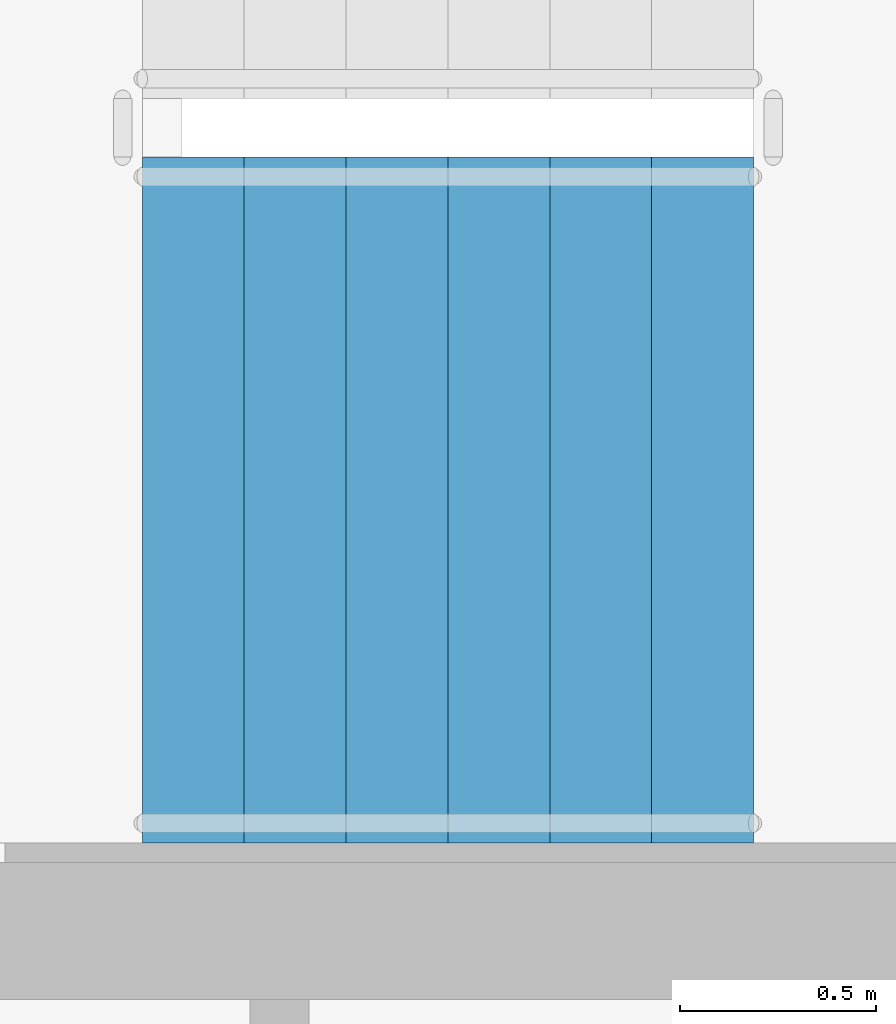
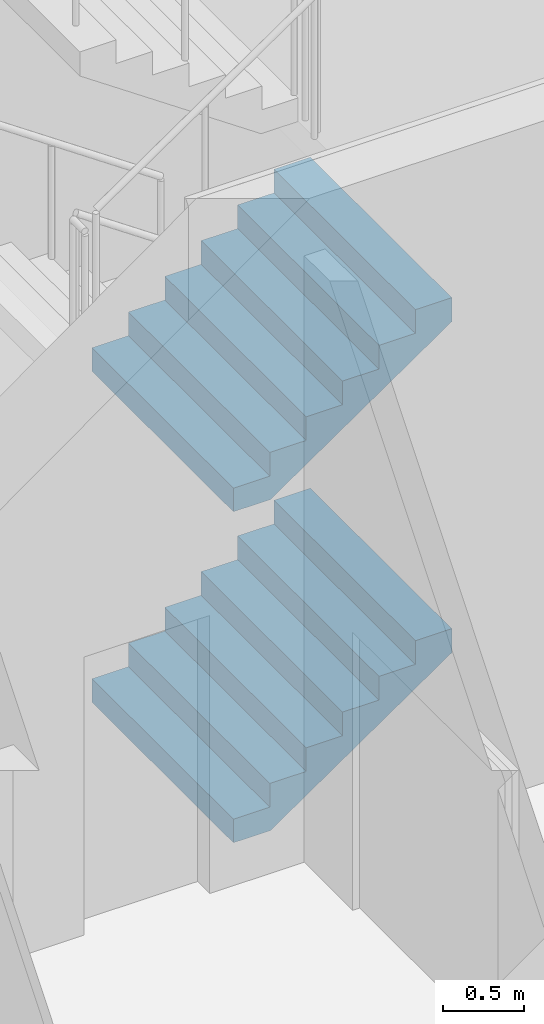
# One storey, part 20 of 34: 2 stair flights, 1 element without a shape of its own.
"""IFC4 building model written with IfcOpenShell, lengths in metres."""

from ifc_helpers import new_model, si_unit, direction, frame, origin, place, context, subcontext, project, spatial, faceted_brep, material, type_object, element, aggregate, save


model = new_model("IFC4")

# Units and contexts
model_context = context("Model", 3, precision=1e-05, world=origin(), true_north=direction((0.0, 1.0)))
body_context = subcontext(model_context, "Body", "Model", "MODEL_VIEW")
ifc_project = project(units=[si_unit("LENGTHUNIT", "METRE"), si_unit("AREAUNIT", "SQUARE_METRE"), si_unit("VOLUMEUNIT", "CUBIC_METRE"), si_unit("PLANEANGLEUNIT", "RADIAN"), si_unit("MASSUNIT", "GRAM", prefix="KILO")], contexts=[model_context])

# Site, building, storey
site_placement = place(None, origin())
site = spatial("IfcSite", under=ifc_project, at=site_placement, CompositionType="ELEMENT")
building_placement = place(site_placement, origin())
building = spatial("IfcBuilding", under=site, at=building_placement, Name="Ipe Terrace Towers", CompositionType="ELEMENT")
storey_placement = place(building_placement, frame((0.0, 0.0, 128.699951171875)))
storey = spatial("IfcBuildingStorey", under=building, at=storey_placement, Name="L35", CompositionType="ELEMENT", Elevation=128.699951171875)

# Stair, stair flights
ifc_material_1 = material(Name="Concrete C30/37", Category="concrete")
stair_type = type_object("IfcStairType", Name="Protected exit stair", PredefinedType="HALF_TURN_STAIR", material=ifc_material_1)
stair_placement = place(storey_placement, origin())
stair = element("IfcStair", 1, at=stair_placement, inside=storey, type_object=stair_type, Name="L35 Exit stair T1-C1", PredefinedType="HALF_TURN_STAIR")
ifc_material_2 = material(Name="Concrete C30/37", Category="concrete")
stair_flight_type = type_object("IfcStairFlightType", Name="Exit stair flight 1750", PredefinedType="STRAIGHT", material=ifc_material_2)
stair_flight_1_placement = place(storey_placement, frame((-26.300048828125, 2.77490234375, 0.0), z_axis=(0.0, 0.0, 1.0), x_axis=(1.0, 0.0, 0.0)))
stair_flight_1 = element("IfcStairFlight", 2, at=stair_flight_1_placement, type_object=stair_flight_type, Name="T1-ST1 flight 1", NumberOfRisers=7, NumberOfTreads=6, PredefinedType="STRAIGHT", RiserHeight=0.178571429, TreadLength=0.26, context=body_context, shape_type="Brep", body=[
    faceted_brep([(0.264892578125, -0.875, 0.0), (1.56005859375, -0.875, 0.8896484375), (1.56005859375, -0.875, 1.071533203125), (1.300048828125, -0.875, 1.071533203125), (1.300048828125, -0.875, 0.892822265625), (1.0400390625, -0.875, 0.892822265625), (1.0400390625, -0.875, 0.71435546875), (0.780029296875, -0.875, 0.71435546875), (0.780029296875, -0.875, 0.53564453125), (0.52001953125, -0.875, 0.53564453125), (0.52001953125, -0.875, 0.357177734375), (0.260009765625, -0.875, 0.357177734375), (0.260009765625, -0.875, 0.178466796875), (0.0, -0.875, 0.178466796875), (0.0, -0.875, 0.0), (0.0, 0.875, 0.0), (0.0, 0.875, 0.178466796875), (0.260009765625, 0.875, 0.178466796875), (0.260009765625, 0.875, 0.357177734375), (0.52001953125, 0.875, 0.357177734375), (0.52001953125, 0.875, 0.53564453125), (0.780029296875, 0.875, 0.53564453125), (0.780029296875, 0.875, 0.71435546875), (1.0400390625, 0.875, 0.71435546875), (1.0400390625, 0.875, 0.892822265625), (1.300048828125, 0.875, 0.892822265625), (1.300048828125, 0.875, 1.071533203125), (1.56005859375, 0.875, 1.071533203125), (1.56005859375, 0.875, 0.8896484375), (0.264892578125, 0.875, 0.0), (0.0, -0.300048828125, 0.178466796875), (0.0, -0.1201171875, 0.178466796875), (0.0, -0.06005859375, 0.178466796875), (0.0, -0.030029296875, 0.178466796875), (0.0, -0.010009765625, 0.178466796875), (0.0, 0.0, 0.178466796875), (0.0, 0.010009765625, 0.178466796875), (0.0, 0.030029296875, 0.178466796875), (0.0, 0.06005859375, 0.178466796875), (0.0, 0.1201171875, 0.178466796875), (0.0, 0.300048828125, 0.178466796875), (0.0, 0.300048828125, 0.0), (0.0, 0.1201171875, 0.0), (0.0, 0.06005859375, 0.0), (0.0, 0.030029296875, 0.0), (0.0, 0.010009765625, 0.0), (0.0, 0.0, 0.0), (0.0, -0.010009765625, 0.0), (0.0, -0.030029296875, 0.0), (0.0, -0.06005859375, 0.0), (0.0, -0.1201171875, 0.0), (0.0, -0.300048828125, 0.0), (0.260009765625, -0.300048828125, 0.178466796875), (0.260009765625, -0.1201171875, 0.178466796875), (0.260009765625, -0.06005859375, 0.178466796875), (0.260009765625, -0.030029296875, 0.178466796875), (0.260009765625, -0.010009765625, 0.178466796875), (0.260009765625, 0.0, 0.178466796875), (0.260009765625, 0.010009765625, 0.178466796875), (0.260009765625, 0.030029296875, 0.178466796875), (0.260009765625, 0.06005859375, 0.178466796875), (0.260009765625, 0.1201171875, 0.178466796875), (0.260009765625, 0.300048828125, 0.178466796875), (0.260009765625, -0.300048828125, 0.357177734375), (0.260009765625, -0.1201171875, 0.357177734375), (0.260009765625, -0.06005859375, 0.357177734375), (0.260009765625, -0.030029296875, 0.357177734375), (0.260009765625, -0.010009765625, 0.357177734375), (0.260009765625, 0.0, 0.357177734375), (0.260009765625, 0.010009765625, 0.357177734375), (0.260009765625, 0.030029296875, 0.357177734375), (0.260009765625, 0.06005859375, 0.357177734375), (0.260009765625, 0.1201171875, 0.357177734375), (0.260009765625, 0.300048828125, 0.357177734375), (0.52001953125, -0.300048828125, 0.357177734375), (0.52001953125, -0.1201171875, 0.357177734375), (0.52001953125, -0.06005859375, 0.357177734375), (0.52001953125, -0.030029296875, 0.357177734375), (0.52001953125, -0.010009765625, 0.357177734375), (0.52001953125, 0.0, 0.357177734375), (0.52001953125, 0.010009765625, 0.357177734375), (0.52001953125, 0.030029296875, 0.357177734375), (0.52001953125, 0.06005859375, 0.357177734375), (0.52001953125, 0.1201171875, 0.357177734375), (0.52001953125, 0.300048828125, 0.357177734375), (0.52001953125, -0.300048828125, 0.53564453125), (0.52001953125, -0.1201171875, 0.53564453125), (0.52001953125, -0.06005859375, 0.53564453125), (0.52001953125, -0.030029296875, 0.53564453125), (0.52001953125, -0.010009765625, 0.53564453125), (0.52001953125, 0.0, 0.53564453125), (0.52001953125, 0.010009765625, 0.53564453125), (0.52001953125, 0.030029296875, 0.53564453125), (0.52001953125, 0.06005859375, 0.53564453125), (0.52001953125, 0.1201171875, 0.53564453125), (0.52001953125, 0.300048828125, 0.53564453125), (0.780029296875, -0.300048828125, 0.53564453125), (0.780029296875, -0.1201171875, 0.53564453125), (0.780029296875, -0.06005859375, 0.53564453125), (0.780029296875, -0.030029296875, 0.53564453125), (0.780029296875, -0.010009765625, 0.53564453125), (0.780029296875, 0.0, 0.53564453125), (0.780029296875, 0.010009765625, 0.53564453125), (0.780029296875, 0.030029296875, 0.53564453125), (0.780029296875, 0.06005859375, 0.53564453125), (0.780029296875, 0.1201171875, 0.53564453125), (0.780029296875, 0.300048828125, 0.53564453125), (0.780029296875, -0.300048828125, 0.71435546875), (0.780029296875, -0.1201171875, 0.71435546875), (0.780029296875, -0.06005859375, 0.71435546875), (0.780029296875, -0.030029296875, 0.71435546875), (0.780029296875, -0.010009765625, 0.71435546875), (0.780029296875, 0.0, 0.71435546875), (0.780029296875, 0.010009765625, 0.71435546875), (0.780029296875, 0.030029296875, 0.71435546875), (0.780029296875, 0.06005859375, 0.71435546875), (0.780029296875, 0.1201171875, 0.71435546875), (0.780029296875, 0.300048828125, 0.71435546875), (1.0400390625, -0.300048828125, 0.71435546875), (1.0400390625, -0.1201171875, 0.71435546875), (1.0400390625, -0.06005859375, 0.71435546875), (1.0400390625, -0.030029296875, 0.71435546875), (1.0400390625, -0.010009765625, 0.71435546875), (1.0400390625, 0.0, 0.71435546875), (1.0400390625, 0.010009765625, 0.71435546875), (1.0400390625, 0.030029296875, 0.71435546875), (1.0400390625, 0.06005859375, 0.71435546875), (1.0400390625, 0.1201171875, 0.71435546875), (1.0400390625, 0.300048828125, 0.71435546875), (1.0400390625, -0.300048828125, 0.892822265625), (1.0400390625, -0.1201171875, 0.892822265625), (1.0400390625, -0.06005859375, 0.892822265625), (1.0400390625, -0.030029296875, 0.892822265625), (1.0400390625, -0.010009765625, 0.892822265625), (1.0400390625, 0.0, 0.892822265625), (1.0400390625, 0.010009765625, 0.892822265625), (1.0400390625, 0.030029296875, 0.892822265625), (1.0400390625, 0.06005859375, 0.892822265625), (1.0400390625, 0.1201171875, 0.892822265625), (1.0400390625, 0.300048828125, 0.892822265625), (1.300048828125, -0.300048828125, 0.892822265625), (1.300048828125, -0.1201171875, 0.892822265625), (1.300048828125, -0.06005859375, 0.892822265625), (1.300048828125, -0.030029296875, 0.892822265625), (1.300048828125, -0.010009765625, 0.892822265625), (1.300048828125, 0.0, 0.892822265625), (1.300048828125, 0.010009765625, 0.892822265625), (1.300048828125, 0.030029296875, 0.892822265625), (1.300048828125, 0.06005859375, 0.892822265625), (1.300048828125, 0.1201171875, 0.892822265625), (1.300048828125, 0.300048828125, 0.892822265625), (1.300048828125, -0.300048828125, 1.071533203125), (1.300048828125, -0.1201171875, 1.071533203125), (1.300048828125, -0.06005859375, 1.071533203125), (1.300048828125, -0.030029296875, 1.071533203125), (1.300048828125, -0.010009765625, 1.071533203125), (1.300048828125, 0.0, 1.071533203125), (1.300048828125, 0.010009765625, 1.071533203125), (1.300048828125, 0.030029296875, 1.071533203125), (1.300048828125, 0.06005859375, 1.071533203125), (1.300048828125, 0.1201171875, 1.071533203125), (1.300048828125, 0.300048828125, 1.071533203125), (1.56005859375, -0.300048828125, 1.071533203125), (1.56005859375, -0.1201171875, 1.071533203125), (1.56005859375, -0.06005859375, 1.071533203125), (1.56005859375, -0.030029296875, 1.071533203125), (1.56005859375, -0.010009765625, 1.071533203125), (1.56005859375, 0.0, 1.071533203125), (1.56005859375, 0.010009765625, 1.071533203125), (1.56005859375, 0.030029296875, 1.071533203125), (1.56005859375, 0.06005859375, 1.071533203125), (1.56005859375, 0.1201171875, 1.071533203125), (1.56005859375, 0.300048828125, 1.071533203125), (1.56005859375, -0.300048828125, 0.8896484375), (1.56005859375, -0.1201171875, 0.8896484375), (1.56005859375, -0.06005859375, 0.8896484375), (1.56005859375, -0.030029296875, 0.8896484375), (1.56005859375, -0.010009765625, 0.8896484375), (1.56005859375, 0.0, 0.8896484375), (1.56005859375, 0.010009765625, 0.8896484375), (1.56005859375, 0.030029296875, 0.8896484375), (1.56005859375, 0.06005859375, 0.8896484375), (1.56005859375, 0.1201171875, 0.8896484375), (1.56005859375, 0.300048828125, 0.8896484375), (0.264892578125, -0.300048828125, 0.0), (0.264892578125, -0.1201171875, 0.0), (0.264892578125, -0.06005859375, 0.0), (0.264892578125, -0.030029296875, 0.0), (0.264892578125, -0.010009765625, 0.0), (0.264892578125, 0.0, 0.0), (0.264892578125, 0.010009765625, 0.0), (0.264892578125, 0.030029296875, 0.0), (0.264892578125, 0.06005859375, 0.0), (0.264892578125, 0.1201171875, 0.0), (0.264892578125, 0.300048828125, 0.0)], [[[0, 1, 2, 3, 4, 5, 6, 7, 8, 9, 10, 11, 12, 13, 14]], [[15, 16, 17, 18, 19, 20, 21, 22, 23, 24, 25, 26, 27, 28, 29]], [[13, 30, 31, 32, 33, 34, 35, 36, 37, 38, 39, 40, 16, 15, 41, 42, 43, 44, 45, 46, 47, 48, 49, 50, 51, 14]], [[12, 52, 53, 54, 55, 56, 57, 58, 59, 60, 61, 62, 17, 16, 40, 39, 38, 37, 36, 35, 34, 33, 32, 31, 30, 13]], [[11, 63, 64, 65, 66, 67, 68, 69, 70, 71, 72, 73, 18, 17, 62, 61, 60, 59, 58, 57, 56, 55, 54, 53, 52, 12]], [[10, 74, 75, 76, 77, 78, 79, 80, 81, 82, 83, 84, 19, 18, 73, 72, 71, 70, 69, 68, 67, 66, 65, 64, 63, 11]], [[9, 85, 86, 87, 88, 89, 90, 91, 92, 93, 94, 95, 20, 19, 84, 83, 82, 81, 80, 79, 78, 77, 76, 75, 74, 10]], [[8, 96, 97, 98, 99, 100, 101, 102, 103, 104, 105, 106, 21, 20, 95, 94, 93, 92, 91, 90, 89, 88, 87, 86, 85, 9]], [[7, 107, 108, 109, 110, 111, 112, 113, 114, 115, 116, 117, 22, 21, 106, 105, 104, 103, 102, 101, 100, 99, 98, 97, 96, 8]], [[6, 118, 119, 120, 121, 122, 123, 124, 125, 126, 127, 128, 23, 22, 117, 116, 115, 114, 113, 112, 111, 110, 109, 108, 107, 7]], [[5, 129, 130, 131, 132, 133, 134, 135, 136, 137, 138, 139, 24, 23, 128, 127, 126, 125, 124, 123, 122, 121, 120, 119, 118, 6]], [[4, 140, 141, 142, 143, 144, 145, 146, 147, 148, 149, 150, 25, 24, 139, 138, 137, 136, 135, 134, 133, 132, 131, 130, 129, 5]], [[3, 151, 152, 153, 154, 155, 156, 157, 158, 159, 160, 161, 26, 25, 150, 149, 148, 147, 146, 145, 144, 143, 142, 141, 140, 4]], [[2, 162, 163, 164, 165, 166, 167, 168, 169, 170, 171, 172, 27, 26, 161, 160, 159, 158, 157, 156, 155, 154, 153, 152, 151, 3]], [[1, 173, 174, 175, 176, 177, 178, 179, 180, 181, 182, 183, 28, 27, 172, 171, 170, 169, 168, 167, 166, 165, 164, 163, 162, 2]], [[0, 184, 185, 186, 187, 188, 189, 190, 191, 192, 193, 194, 29, 28, 183, 182, 181, 180, 179, 178, 177, 176, 175, 174, 173, 1]], [[14, 51, 50, 49, 48, 47, 46, 45, 44, 43, 42, 41, 15, 29, 194, 193, 192, 191, 190, 189, 188, 187, 186, 185, 184, 0]]]),
])
stair_flight_2_placement = place(storey_placement, frame((-26.300048828125, 2.77490234375, 2.5), z_axis=(0.0, 0.0, 1.0), x_axis=(1.0, 0.0, 0.0)))
stair_flight_2 = element("IfcStairFlight", 3, at=stair_flight_2_placement, type_object=stair_flight_type, Name="T1-ST1 flight 3", NumberOfRisers=7, NumberOfTreads=6, PredefinedType="STRAIGHT", RiserHeight=0.178571429, TreadLength=0.26, context=body_context, shape_type="Brep", body=[
    faceted_brep([(0.264892578125, -0.875, 0.0), (1.56005859375, -0.875, 0.8896484375), (1.56005859375, -0.875, 1.071533203125), (1.300048828125, -0.875, 1.071533203125), (1.300048828125, -0.875, 0.892822265625), (1.0400390625, -0.875, 0.892822265625), (1.0400390625, -0.875, 0.71435546875), (0.780029296875, -0.875, 0.71435546875), (0.780029296875, -0.875, 0.53564453125), (0.52001953125, -0.875, 0.53564453125), (0.52001953125, -0.875, 0.357177734375), (0.260009765625, -0.875, 0.357177734375), (0.260009765625, -0.875, 0.178466796875), (0.0, -0.875, 0.178466796875), (0.0, -0.875, 0.0), (0.0, 0.875, 0.0), (0.0, 0.875, 0.178466796875), (0.260009765625, 0.875, 0.178466796875), (0.260009765625, 0.875, 0.357177734375), (0.52001953125, 0.875, 0.357177734375), (0.52001953125, 0.875, 0.53564453125), (0.780029296875, 0.875, 0.53564453125), (0.780029296875, 0.875, 0.71435546875), (1.0400390625, 0.875, 0.71435546875), (1.0400390625, 0.875, 0.892822265625), (1.300048828125, 0.875, 0.892822265625), (1.300048828125, 0.875, 1.071533203125), (1.56005859375, 0.875, 1.071533203125), (1.56005859375, 0.875, 0.8896484375), (0.264892578125, 0.875, 0.0), (0.0, -0.300048828125, 0.178466796875), (0.0, -0.1201171875, 0.178466796875), (0.0, -0.06005859375, 0.178466796875), (0.0, -0.030029296875, 0.178466796875), (0.0, -0.010009765625, 0.178466796875), (0.0, 0.0, 0.178466796875), (0.0, 0.010009765625, 0.178466796875), (0.0, 0.030029296875, 0.178466796875), (0.0, 0.06005859375, 0.178466796875), (0.0, 0.1201171875, 0.178466796875), (0.0, 0.300048828125, 0.178466796875), (0.0, 0.300048828125, 0.0), (0.0, 0.1201171875, 0.0), (0.0, 0.06005859375, 0.0), (0.0, 0.030029296875, 0.0), (0.0, 0.010009765625, 0.0), (0.0, 0.0, 0.0), (0.0, -0.010009765625, 0.0), (0.0, -0.030029296875, 0.0), (0.0, -0.06005859375, 0.0), (0.0, -0.1201171875, 0.0), (0.0, -0.300048828125, 0.0), (0.260009765625, -0.300048828125, 0.178466796875), (0.260009765625, -0.1201171875, 0.178466796875), (0.260009765625, -0.06005859375, 0.178466796875), (0.260009765625, -0.030029296875, 0.178466796875), (0.260009765625, -0.010009765625, 0.178466796875), (0.260009765625, 0.0, 0.178466796875), (0.260009765625, 0.010009765625, 0.178466796875), (0.260009765625, 0.030029296875, 0.178466796875), (0.260009765625, 0.06005859375, 0.178466796875), (0.260009765625, 0.1201171875, 0.178466796875), (0.260009765625, 0.300048828125, 0.178466796875), (0.260009765625, -0.300048828125, 0.357177734375), (0.260009765625, -0.1201171875, 0.357177734375), (0.260009765625, -0.06005859375, 0.357177734375), (0.260009765625, -0.030029296875, 0.357177734375), (0.260009765625, -0.010009765625, 0.357177734375), (0.260009765625, 0.0, 0.357177734375), (0.260009765625, 0.010009765625, 0.357177734375), (0.260009765625, 0.030029296875, 0.357177734375), (0.260009765625, 0.06005859375, 0.357177734375), (0.260009765625, 0.1201171875, 0.357177734375), (0.260009765625, 0.300048828125, 0.357177734375), (0.52001953125, -0.300048828125, 0.357177734375), (0.52001953125, -0.1201171875, 0.357177734375), (0.52001953125, -0.06005859375, 0.357177734375), (0.52001953125, -0.030029296875, 0.357177734375), (0.52001953125, -0.010009765625, 0.357177734375), (0.52001953125, 0.0, 0.357177734375), (0.52001953125, 0.010009765625, 0.357177734375), (0.52001953125, 0.030029296875, 0.357177734375), (0.52001953125, 0.06005859375, 0.357177734375), (0.52001953125, 0.1201171875, 0.357177734375), (0.52001953125, 0.300048828125, 0.357177734375), (0.52001953125, -0.300048828125, 0.53564453125), (0.52001953125, -0.1201171875, 0.53564453125), (0.52001953125, -0.06005859375, 0.53564453125), (0.52001953125, -0.030029296875, 0.53564453125), (0.52001953125, -0.010009765625, 0.53564453125), (0.52001953125, 0.0, 0.53564453125), (0.52001953125, 0.010009765625, 0.53564453125), (0.52001953125, 0.030029296875, 0.53564453125), (0.52001953125, 0.06005859375, 0.53564453125), (0.52001953125, 0.1201171875, 0.53564453125), (0.52001953125, 0.300048828125, 0.53564453125), (0.780029296875, -0.300048828125, 0.53564453125), (0.780029296875, -0.1201171875, 0.53564453125), (0.780029296875, -0.06005859375, 0.53564453125), (0.780029296875, -0.030029296875, 0.53564453125), (0.780029296875, -0.010009765625, 0.53564453125), (0.780029296875, 0.0, 0.53564453125), (0.780029296875, 0.010009765625, 0.53564453125), (0.780029296875, 0.030029296875, 0.53564453125), (0.780029296875, 0.06005859375, 0.53564453125), (0.780029296875, 0.1201171875, 0.53564453125), (0.780029296875, 0.300048828125, 0.53564453125), (0.780029296875, -0.300048828125, 0.71435546875), (0.780029296875, -0.1201171875, 0.71435546875), (0.780029296875, -0.06005859375, 0.71435546875), (0.780029296875, -0.030029296875, 0.71435546875), (0.780029296875, -0.010009765625, 0.71435546875), (0.780029296875, 0.0, 0.71435546875), (0.780029296875, 0.010009765625, 0.71435546875), (0.780029296875, 0.030029296875, 0.71435546875), (0.780029296875, 0.06005859375, 0.71435546875), (0.780029296875, 0.1201171875, 0.71435546875), (0.780029296875, 0.300048828125, 0.71435546875), (1.0400390625, -0.300048828125, 0.71435546875), (1.0400390625, -0.1201171875, 0.71435546875), (1.0400390625, -0.06005859375, 0.71435546875), (1.0400390625, -0.030029296875, 0.71435546875), (1.0400390625, -0.010009765625, 0.71435546875), (1.0400390625, 0.0, 0.71435546875), (1.0400390625, 0.010009765625, 0.71435546875), (1.0400390625, 0.030029296875, 0.71435546875), (1.0400390625, 0.06005859375, 0.71435546875), (1.0400390625, 0.1201171875, 0.71435546875), (1.0400390625, 0.300048828125, 0.71435546875), (1.0400390625, -0.300048828125, 0.892822265625), (1.0400390625, -0.1201171875, 0.892822265625), (1.0400390625, -0.06005859375, 0.892822265625), (1.0400390625, -0.030029296875, 0.892822265625), (1.0400390625, -0.010009765625, 0.892822265625), (1.0400390625, 0.0, 0.892822265625), (1.0400390625, 0.010009765625, 0.892822265625), (1.0400390625, 0.030029296875, 0.892822265625), (1.0400390625, 0.06005859375, 0.892822265625), (1.0400390625, 0.1201171875, 0.892822265625), (1.0400390625, 0.300048828125, 0.892822265625), (1.300048828125, -0.300048828125, 0.892822265625), (1.300048828125, -0.1201171875, 0.892822265625), (1.300048828125, -0.06005859375, 0.892822265625), (1.300048828125, -0.030029296875, 0.892822265625), (1.300048828125, -0.010009765625, 0.892822265625), (1.300048828125, 0.0, 0.892822265625), (1.300048828125, 0.010009765625, 0.892822265625), (1.300048828125, 0.030029296875, 0.892822265625), (1.300048828125, 0.06005859375, 0.892822265625), (1.300048828125, 0.1201171875, 0.892822265625), (1.300048828125, 0.300048828125, 0.892822265625), (1.300048828125, -0.300048828125, 1.071533203125), (1.300048828125, -0.1201171875, 1.071533203125), (1.300048828125, -0.06005859375, 1.071533203125), (1.300048828125, -0.030029296875, 1.071533203125), (1.300048828125, -0.010009765625, 1.071533203125), (1.300048828125, 0.0, 1.071533203125), (1.300048828125, 0.010009765625, 1.071533203125), (1.300048828125, 0.030029296875, 1.071533203125), (1.300048828125, 0.06005859375, 1.071533203125), (1.300048828125, 0.1201171875, 1.071533203125), (1.300048828125, 0.300048828125, 1.071533203125), (1.56005859375, -0.300048828125, 1.071533203125), (1.56005859375, -0.1201171875, 1.071533203125), (1.56005859375, -0.06005859375, 1.071533203125), (1.56005859375, -0.030029296875, 1.071533203125), (1.56005859375, -0.010009765625, 1.071533203125), (1.56005859375, 0.0, 1.071533203125), (1.56005859375, 0.010009765625, 1.071533203125), (1.56005859375, 0.030029296875, 1.071533203125), (1.56005859375, 0.06005859375, 1.071533203125), (1.56005859375, 0.1201171875, 1.071533203125), (1.56005859375, 0.300048828125, 1.071533203125), (1.56005859375, -0.300048828125, 0.8896484375), (1.56005859375, -0.1201171875, 0.8896484375), (1.56005859375, -0.06005859375, 0.8896484375), (1.56005859375, -0.030029296875, 0.8896484375), (1.56005859375, -0.010009765625, 0.8896484375), (1.56005859375, 0.0, 0.8896484375), (1.56005859375, 0.010009765625, 0.8896484375), (1.56005859375, 0.030029296875, 0.8896484375), (1.56005859375, 0.06005859375, 0.8896484375), (1.56005859375, 0.1201171875, 0.8896484375), (1.56005859375, 0.300048828125, 0.8896484375), (0.264892578125, -0.300048828125, 0.0), (0.264892578125, -0.1201171875, 0.0), (0.264892578125, -0.06005859375, 0.0), (0.264892578125, -0.030029296875, 0.0), (0.264892578125, -0.010009765625, 0.0), (0.264892578125, 0.0, 0.0), (0.264892578125, 0.010009765625, 0.0), (0.264892578125, 0.030029296875, 0.0), (0.264892578125, 0.06005859375, 0.0), (0.264892578125, 0.1201171875, 0.0), (0.264892578125, 0.300048828125, 0.0)], [[[0, 1, 2, 3, 4, 5, 6, 7, 8, 9, 10, 11, 12, 13, 14]], [[15, 16, 17, 18, 19, 20, 21, 22, 23, 24, 25, 26, 27, 28, 29]], [[13, 30, 31, 32, 33, 34, 35, 36, 37, 38, 39, 40, 16, 15, 41, 42, 43, 44, 45, 46, 47, 48, 49, 50, 51, 14]], [[12, 52, 53, 54, 55, 56, 57, 58, 59, 60, 61, 62, 17, 16, 40, 39, 38, 37, 36, 35, 34, 33, 32, 31, 30, 13]], [[11, 63, 64, 65, 66, 67, 68, 69, 70, 71, 72, 73, 18, 17, 62, 61, 60, 59, 58, 57, 56, 55, 54, 53, 52, 12]], [[10, 74, 75, 76, 77, 78, 79, 80, 81, 82, 83, 84, 19, 18, 73, 72, 71, 70, 69, 68, 67, 66, 65, 64, 63, 11]], [[9, 85, 86, 87, 88, 89, 90, 91, 92, 93, 94, 95, 20, 19, 84, 83, 82, 81, 80, 79, 78, 77, 76, 75, 74, 10]], [[8, 96, 97, 98, 99, 100, 101, 102, 103, 104, 105, 106, 21, 20, 95, 94, 93, 92, 91, 90, 89, 88, 87, 86, 85, 9]], [[7, 107, 108, 109, 110, 111, 112, 113, 114, 115, 116, 117, 22, 21, 106, 105, 104, 103, 102, 101, 100, 99, 98, 97, 96, 8]], [[6, 118, 119, 120, 121, 122, 123, 124, 125, 126, 127, 128, 23, 22, 117, 116, 115, 114, 113, 112, 111, 110, 109, 108, 107, 7]], [[5, 129, 130, 131, 132, 133, 134, 135, 136, 137, 138, 139, 24, 23, 128, 127, 126, 125, 124, 123, 122, 121, 120, 119, 118, 6]], [[4, 140, 141, 142, 143, 144, 145, 146, 147, 148, 149, 150, 25, 24, 139, 138, 137, 136, 135, 134, 133, 132, 131, 130, 129, 5]], [[3, 151, 152, 153, 154, 155, 156, 157, 158, 159, 160, 161, 26, 25, 150, 149, 148, 147, 146, 145, 144, 143, 142, 141, 140, 4]], [[2, 162, 163, 164, 165, 166, 167, 168, 169, 170, 171, 172, 27, 26, 161, 160, 159, 158, 157, 156, 155, 154, 153, 152, 151, 3]], [[1, 173, 174, 175, 176, 177, 178, 179, 180, 181, 182, 183, 28, 27, 172, 171, 170, 169, 168, 167, 166, 165, 164, 163, 162, 2]], [[0, 184, 185, 186, 187, 188, 189, 190, 191, 192, 193, 194, 29, 28, 183, 182, 181, 180, 179, 178, 177, 176, 175, 174, 173, 1]], [[14, 51, 50, 49, 48, 47, 46, 45, 44, 43, 42, 41, 15, 29, 194, 193, 192, 191, 190, 189, 188, 187, 186, 185, 184, 0]]]),
])
aggregate(stair, [stair_flight_1, stair_flight_2])

save(model, "model.ifc")
